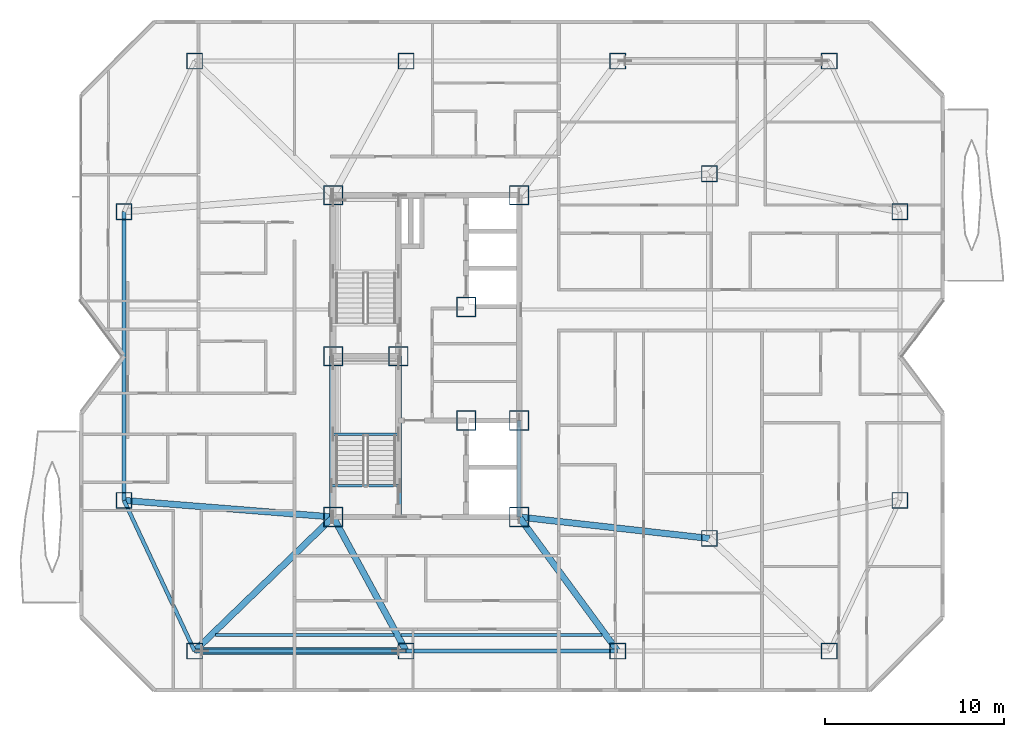
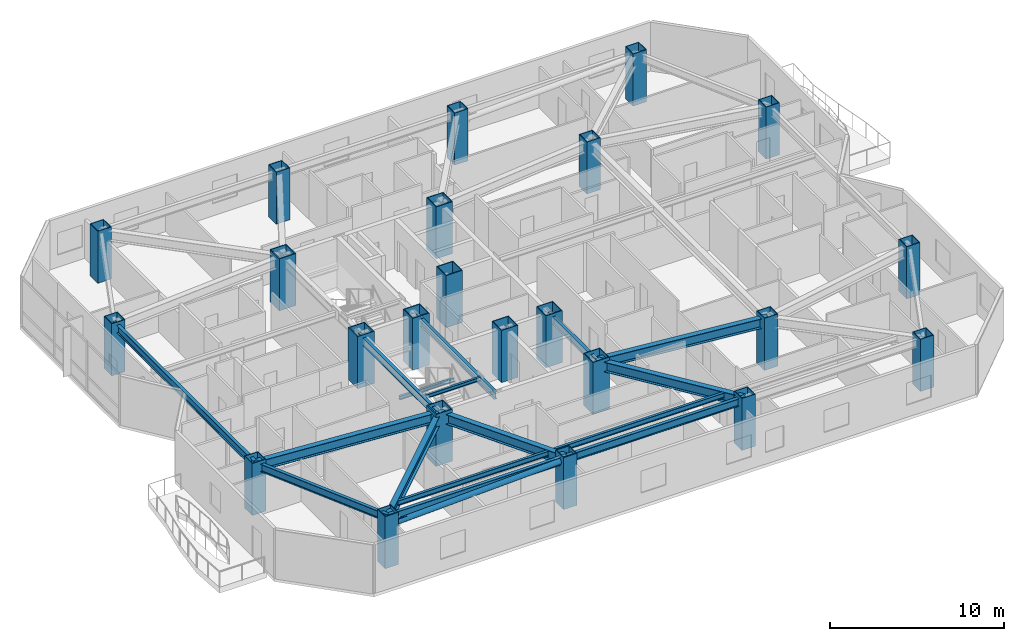
# One storey, part 1 of 18: 23 columns, 16 beams, 1 member.
"""IFC4 building model written with IfcOpenShell, lengths in metres."""

from ifc_helpers import new_model, si_unit, direction, frame, origin, origin_2d, place, context, subcontext, project, spatial, hollow_rectangle, hollow_circle, i_section, extrude, material, material_profile, profile_set, type_object, element, save


model = new_model("IFC4")

# Units and contexts
model_context = context("Model", 3, precision=1e-05, world=origin(), true_north=direction((0.0, 1.0)))
body_context = subcontext(model_context, "Body", "Model", "MODEL_VIEW")
ifc_project = project(units=[si_unit("LENGTHUNIT", "METRE"), si_unit("AREAUNIT", "SQUARE_METRE"), si_unit("VOLUMEUNIT", "CUBIC_METRE"), si_unit("PLANEANGLEUNIT", "RADIAN"), si_unit("MASSUNIT", "GRAM", prefix="KILO")], contexts=[model_context])

# Site, building, storey
site_placement = place(None, origin())
site = spatial("IfcSite", under=ifc_project, at=site_placement, CompositionType="ELEMENT")
building_placement = place(site_placement, origin())
building = spatial("IfcBuilding", under=site, at=building_placement, Name="Khamvora Tower", CompositionType="ELEMENT")
storey_placement = place(building_placement, frame((0.0, 0.0, 181.449951171875)))
storey = spatial("IfcBuildingStorey", under=building, at=storey_placement, Name="L46", CompositionType="ELEMENT", Elevation=181.449951171875)

# Columns
ifc_material_1 = material(Name="Steel S460", Category="steel")
ifc_material_profile_1 = material_profile(ifc_material_1, hollow_rectangle(XDim=1.10009765625, YDim=1.10009765625, WallThickness=0.054931640625, at=origin_2d()), Name="BOX1100x1100x55")
ifc_profile_set_1 = profile_set([ifc_material_profile_1], Name="Steel S460")
column_type_1 = type_object("IfcColumnType", Name="COL-BOX1100", PredefinedType="COLUMN", material=ifc_profile_set_1)
for number, where, z_axis, x_axis, name in (
    (1, (29.0, 19.0, 0.0), (0.0, 0.0, 1.0), (1.0, 0.0, 0.0), "L46 plumb core spine column SC1"),
    (2, (32.64990234375, 28.0, 0.0), (0.0, 0.0, 1.0), (1.0, 0.0, 0.0), "L46 plumb core spine column SC2"),
    (3, (39.39990234375, 19.0, 0.0), (0.0, 0.0, 1.0), (1.0, 0.0, 0.0), "L46 plumb core spine column SC3"),
    (4, (29.0, 28.0, 0.0), (0.0, 0.0, 1.0), (1.0, 0.0, 0.0), "L46 plumb core spine column SC4"),
    (5, (36.449951171875, 24.39990234375, 0.0), (0.0, 0.0, 1.0), (1.0, 0.0, 0.0), "L46 plumb core spine column SC5"),
    (6, (39.39990234375, 24.39990234375, 0.0), (0.0, 0.0, 1.0), (1.0, 0.0, 0.0), "L46 plumb core spine column SC6"),
    (7, (29.0, 37.0, 0.0), (0.0, 0.0, 1.0), (1.0, 0.0, 0.0), "L46 plumb core spine column SC7"),
    (8, (36.449951171875, 30.75, 0.0), (0.0, 0.0, 1.0), (1.0, 0.0, 0.0), "L46 plumb core spine column SC8"),
    (9, (39.39990234375, 37.0, 0.0), (0.0, 0.0, 1.0), (1.0, 0.0, 0.0), "L46 plumb core spine column SC9"),
):
    element("IfcColumn", number, at=place(storey_placement, frame(where, z_axis=z_axis, x_axis=x_axis)), inside=storey, type_object=column_type_1, Name=name, PredefinedType="COLUMN", context=body_context, shape_type="SweptSolid", body=[
        extrude(hollow_rectangle(XDim=1.10009765625, YDim=1.10009765625, WallThickness=0.054931640625, at=origin_2d()), origin(), (0.0, 0.0, 1.0), 3.650146484375),
    ])
ifc_material_2 = material(Name="Steel S355", Category="steel")
ifc_material_profile_2 = material_profile(ifc_material_2, hollow_rectangle(XDim=0.89990234375, YDim=0.89990234375, WallThickness=0.044921875, at=origin_2d()), Name="BOX900x900x45")
ifc_profile_set_2 = profile_set([ifc_material_profile_2], Name="Steel S355")
column_type_2 = type_object("IfcColumnType", Name="COL-BOX900", PredefinedType="COLUMN", material=ifc_profile_set_2)
for number, where, z_axis, x_axis, name in (
    (10, (21.25, 11.5, 0.0), (0.0, 0.0, 1.0), (1.0, 0.0, 0.0), "L46 structural frame column S1"),
    (11, (33.0830078125, 11.5, 0.0), (0.0, 0.0, 1.0), (1.0, 0.0, 0.0), "L46 structural frame column S2"),
    (12, (44.9169921875, 11.5, 0.0), (0.0, 0.0, 1.0), (1.0, 0.0, 0.0), "L46 structural frame column S3"),
    (13, (56.75, 11.5, 0.0), (0.0, 0.0, 1.0), (1.0, 0.0, 0.0), "L46 structural frame column S4"),
    (14, (21.25, 44.5, 0.0), (0.0, 0.0, 1.0), (1.0, 0.0, 0.0), "L46 structural frame column N1"),
    (15, (33.0830078125, 44.5, 0.0), (0.0, 0.0, 1.0), (1.0, 0.0, 0.0), "L46 structural frame column N2"),
    (16, (44.9169921875, 44.5, 0.0), (0.0, 0.0, 1.0), (1.0, 0.0, 0.0), "L46 structural frame column N3"),
    (17, (56.75, 44.5, 0.0), (0.0, 0.0, 1.0), (1.0, 0.0, 0.0), "L46 structural frame column N4"),
    (18, (17.300048828125, 19.925048828125, 0.0), (0.0, 0.0, 1.0), (1.0, 0.0, 0.0), "L46 structural frame column W1"),
    (19, (17.300048828125, 36.074951171875, 0.0), (0.0, 0.0, 1.0), (1.0, 0.0, 0.0), "L46 structural frame column W2"),
    (20, (60.699951171875, 19.925048828125, 0.0), (0.0, 0.0, 1.0), (1.0, 0.0, 0.0), "L46 structural frame column E1"),
    (21, (60.699951171875, 36.074951171875, 0.0), (0.0, 0.0, 1.0), (1.0, 0.0, 0.0), "L46 structural frame column E2"),
    (22, (50.050048828125, 17.800048828125, 0.0), (0.0, 0.0, 1.0), (1.0, 0.0, 0.0), "L46 structural frame column M1"),
    (23, (50.050048828125, 38.199951171875, 0.0), (0.0, 0.0, 1.0), (1.0, 0.0, 0.0), "L46 structural frame column M2"),
):
    element("IfcColumn", number, at=place(storey_placement, frame(where, z_axis=z_axis, x_axis=x_axis)), inside=storey, type_object=column_type_2, Name=name, PredefinedType="COLUMN", context=body_context, shape_type="SweptSolid", body=[
        extrude(hollow_rectangle(XDim=0.89990234375, YDim=0.89990234375, WallThickness=0.044921875, at=origin_2d()), origin(), (0.0, 0.0, 1.0), 3.650146484375),
    ])

# Beams
ifc_material_profile_3 = material_profile(ifc_material_2, i_section(OverallWidth=0.1708984375, OverallDepth=0.35498046875, WebThickness=0.007080078125, FlangeThickness=0.011962890625, FilletRadius=0.010009765625, at=origin_2d()), Name="W360x51")
ifc_profile_set_3 = profile_set([ifc_material_profile_3], Name="Steel S355")
beam_type_1 = type_object("IfcBeamType", Name="BM-JS-W360x51", PredefinedType="JOIST", material=ifc_profile_set_3)
beam_1_placement = place(storey_placement, frame((22.429931640625, 12.39990234375, 3.251953125), z_axis=(1.0, 0.0, 0.0), x_axis=(0.0, 1.0, 0.0)))
element("IfcBeam", 24, at=beam_1_placement, inside=storey, type_object=beam_type_1, Name="L46 secondary floor joist 01", PredefinedType="JOIST", context=body_context, shape_type="SweptSolid", body=[
    extrude(i_section(OverallWidth=0.1708984375, OverallDepth=0.35498046875, WebThickness=0.007080078125, FlangeThickness=0.011962890625, FilletRadius=0.010009765625, at=origin_2d()), origin(), (0.0, 0.0, 1.0), 9.966064453125),
])
beam_2_placement = place(storey_placement, frame((32.7900390625, 12.39990234375, 3.251953125), z_axis=(1.0, 0.0, 0.0), x_axis=(0.0, 1.0, 0.0)))
element("IfcBeam", 25, at=beam_2_placement, inside=storey, type_object=beam_type_1, Name="L46 secondary floor joist 02", PredefinedType="JOIST", context=body_context, shape_type="SweptSolid", body=[
    extrude(i_section(OverallWidth=0.1708984375, OverallDepth=0.35498046875, WebThickness=0.007080078125, FlangeThickness=0.011962890625, FilletRadius=0.010009765625, at=origin_2d()), origin(), (0.0, 0.0, 1.0), 11.25),
])
ifc_material_profile_4 = material_profile(ifc_material_2, i_section(OverallWidth=0.14697265625, OverallDepth=0.261962890625, WebThickness=0.007080078125, FlangeThickness=0.010986328125, FilletRadius=0.008056640625, at=origin_2d()), Name="W250x39")
ifc_profile_set_4 = profile_set([ifc_material_profile_4], Name="Steel S355")
beam_type_2 = type_object("IfcBeamType", Name="BM-LN-W250x39", PredefinedType="LINTEL", material=ifc_profile_set_4)
beam_3_placement = place(storey_placement, frame((29.0, 23.635009765625, 1.494140625), z_axis=(1.0, 0.0, 0.0), x_axis=(0.0, 1.0, 0.0)))
element("IfcBeam", 26, at=beam_3_placement, inside=storey, type_object=beam_type_2, Name="L46 ST-01 half-landing support beam 1.1", PredefinedType="LINTEL", context=body_context, shape_type="SweptSolid", body=[
    extrude(i_section(OverallWidth=0.14697265625, OverallDepth=0.261962890625, WebThickness=0.007080078125, FlangeThickness=0.010986328125, FilletRadius=0.008056640625, at=origin_2d()), origin(), (0.0, 0.0, 1.0), 3.64990234375),
])
beam_4_placement = place(storey_placement, frame((28.89990234375, 20.75, 3.303955078125), z_axis=(1.0, 0.0, 0.0), x_axis=(0.0, 1.0, 0.0)))
element("IfcBeam", 27, at=beam_4_placement, inside=storey, type_object=beam_type_2, Name="L46 exit stair ST-01 landing trimmer beam", PredefinedType="LINTEL", context=body_context, shape_type="SweptSolid", body=[
    extrude(i_section(OverallWidth=0.14697265625, OverallDepth=0.261962890625, WebThickness=0.007080078125, FlangeThickness=0.010986328125, FilletRadius=0.008056640625, at=origin_2d()), origin(), (0.0, 0.0, 1.0), 3.830078125),
])
ifc_material_profile_5 = material_profile(ifc_material_2, i_section(OverallWidth=0.35498046875, OverallDepth=0.695068359375, WebThickness=0.014892578125, FlangeThickness=0.02490234375, FilletRadius=0.01611328125, at=origin_2d()), Name="W690x217")
ifc_profile_set_5 = profile_set([ifc_material_profile_5], Name="Steel S355")
beam_type_3 = type_object("IfcBeamType", Name="BM-PG-W690x217", PredefinedType="BEAM", material=ifc_profile_set_5)
beam_5_placement = place(storey_placement, frame((29.0, 19.0, 3.08203125), z_axis=(-0.718602141767, -0.695421427516, 0.0), x_axis=(0.695421427516, -0.718602141767, 0.0)))
element("IfcBeam", 28, at=beam_5_placement, inside=storey, type_object=beam_type_3, Name="L46 primary floor girder S1", PredefinedType="BEAM", context=body_context, shape_type="SweptSolid", body=[
    extrude(i_section(OverallWidth=0.35498046875, OverallDepth=0.695068359375, WebThickness=0.014892578125, FlangeThickness=0.02490234375, FilletRadius=0.01611328125, at=origin_2d()), origin(), (0.0, 0.0, 1.0), 10.784912109375),
])
beam_6_placement = place(storey_placement, frame((29.0, 19.0, 3.08203125), z_axis=(0.478138862063, -0.878284252725, 0.0), x_axis=(0.878284252725, 0.478138862063, 0.0)))
element("IfcBeam", 29, at=beam_6_placement, inside=storey, type_object=beam_type_3, Name="L46 primary floor girder S2", PredefinedType="BEAM", context=body_context, shape_type="SweptSolid", body=[
    extrude(i_section(OverallWidth=0.35498046875, OverallDepth=0.695068359375, WebThickness=0.014892578125, FlangeThickness=0.02490234375, FilletRadius=0.01611328125, at=origin_2d()), origin(), (0.0, 0.0, 1.0), 8.539306640625),
])
beam_7_placement = place(storey_placement, frame((39.39990234375, 19.0, 3.08203125), z_axis=(0.592556630955, -0.805528794713, 0.0), x_axis=(0.805528794713, 0.592556630955, 0.0)))
element("IfcBeam", 30, at=beam_7_placement, inside=storey, type_object=beam_type_3, Name="L46 primary floor girder S3", PredefinedType="BEAM", context=body_context, shape_type="SweptSolid", body=[
    extrude(i_section(OverallWidth=0.35498046875, OverallDepth=0.695068359375, WebThickness=0.014892578125, FlangeThickness=0.02490234375, FilletRadius=0.01611328125, at=origin_2d()), origin(), (0.0, 0.0, 1.0), 9.310546875),
])
beam_8_placement = place(storey_placement, frame((29.0, 19.0, 3.08203125), z_axis=(-0.996888993668, 0.078818362728, 0.0), x_axis=(-0.078818362728, -0.996888993668, 0.0)))
element("IfcBeam", 31, at=beam_8_placement, inside=storey, type_object=beam_type_3, Name="L46 primary floor girder W1", PredefinedType="BEAM", context=body_context, shape_type="SweptSolid", body=[
    extrude(i_section(OverallWidth=0.35498046875, OverallDepth=0.695068359375, WebThickness=0.014892578125, FlangeThickness=0.02490234375, FilletRadius=0.01611328125, at=origin_2d()), origin(), (0.0, 0.0, 1.0), 11.736572265625),
])
beam_9_placement = place(storey_placement, frame((39.39990234375, 19.0, 3.08203125), z_axis=(0.993712543569, -0.111961514606, 0.0), x_axis=(0.111961514606, 0.993712543569, 0.0)))
element("IfcBeam", 32, at=beam_9_placement, inside=storey, type_object=beam_type_3, Name="L46 primary floor girder M1", PredefinedType="BEAM", context=body_context, shape_type="SweptSolid", body=[
    extrude(i_section(OverallWidth=0.35498046875, OverallDepth=0.695068359375, WebThickness=0.014892578125, FlangeThickness=0.02490234375, FilletRadius=0.01611328125, at=origin_2d()), origin(), (0.0, 0.0, 1.0), 10.717529296875),
])
ifc_material_profile_6 = material_profile(ifc_material_2, i_section(OverallWidth=0.2119140625, OverallDepth=0.5439453125, WebThickness=0.012939453125, FlangeThickness=0.02099609375, FilletRadius=0.013916015625, at=origin_2d()), Name="W530x123")
ifc_profile_set_6 = profile_set([ifc_material_profile_6], Name="Steel S355")
beam_type_4 = type_object("IfcBeamType", Name="BM-SP-W530x123", PredefinedType="SPANDREL", material=ifc_profile_set_6)
beam_10_placement = place(storey_placement, frame((17.300048828125, 19.925048828125, 3.157958984375), z_axis=(0.424496391454, -0.905429629315, 0.0), x_axis=(0.905429629315, 0.424496391454, 0.0)))
element("IfcBeam", 33, at=beam_10_placement, inside=storey, type_object=beam_type_4, Name="L46 perimeter spandrel beam W1-S1", PredefinedType="SPANDREL", context=body_context, shape_type="SweptSolid", body=[
    extrude(i_section(OverallWidth=0.2119140625, OverallDepth=0.5439453125, WebThickness=0.012939453125, FlangeThickness=0.02099609375, FilletRadius=0.013916015625, at=origin_2d()), origin(), (0.0, 0.0, 1.0), 9.304931640625),
])
beam_11_placement = place(storey_placement, frame((21.25, 11.5, 3.157958984375), z_axis=(1.0, 0.0, 0.0), x_axis=(0.0, 1.0, 0.0)))
element("IfcBeam", 34, at=beam_11_placement, inside=storey, type_object=beam_type_4, Name="L46 perimeter spandrel beam S1-S2", PredefinedType="SPANDREL", context=body_context, shape_type="SweptSolid", body=[
    extrude(i_section(OverallWidth=0.2119140625, OverallDepth=0.5439453125, WebThickness=0.012939453125, FlangeThickness=0.02099609375, FilletRadius=0.013916015625, at=origin_2d()), origin(), (0.0, 0.0, 1.0), 11.8330078125),
])
beam_12_placement = place(storey_placement, frame((33.0830078125, 11.5, 3.157958984375), z_axis=(1.0, 0.0, 0.0), x_axis=(0.0, 1.0, 0.0)))
element("IfcBeam", 35, at=beam_12_placement, inside=storey, type_object=beam_type_4, Name="L46 perimeter spandrel beam S2-S3", PredefinedType="SPANDREL", context=body_context, shape_type="SweptSolid", body=[
    extrude(i_section(OverallWidth=0.2119140625, OverallDepth=0.5439453125, WebThickness=0.012939453125, FlangeThickness=0.02099609375, FilletRadius=0.013916015625, at=origin_2d()), origin(), (0.0, 0.0, 1.0), 11.833984375),
])
beam_13_placement = place(storey_placement, frame((17.300048828125, 36.074951171875, 3.157958984375), z_axis=(0.0, -1.0, 0.0), x_axis=(1.0, 0.0, 0.0)))
element("IfcBeam", 36, at=beam_13_placement, inside=storey, type_object=beam_type_4, Name="L46 perimeter spandrel beam W2-W1", PredefinedType="SPANDREL", context=body_context, shape_type="SweptSolid", body=[
    extrude(i_section(OverallWidth=0.2119140625, OverallDepth=0.5439453125, WebThickness=0.012939453125, FlangeThickness=0.02099609375, FilletRadius=0.013916015625, at=origin_2d()), origin(), (0.0, 0.0, 1.0), 16.14990234375),
])
ifc_material_profile_7 = material_profile(ifc_material_2, i_section(OverallWidth=0.208984375, OverallDepth=0.532958984375, WebThickness=0.010009765625, FlangeThickness=0.01611328125, FilletRadius=0.013916015625, at=origin_2d()), Name="W530x92")
ifc_profile_set_7 = profile_set([ifc_material_profile_7], Name="Steel S355")
beam_type_5 = type_object("IfcBeamType", Name="BM-SP-W530x92", PredefinedType="SPANDREL", material=ifc_profile_set_7)
for number, where, z_axis, x_axis, name in (
    (37, (28.89990234375, 19.0, 3.1630859375), (0.0, 1.0, 0.0), (-1.0, 0.0, 0.0), "L46 core spine girder WS"),
    (38, (32.72998046875, 19.0, 3.1630859375), (0.0, 1.0, 0.0), (-1.0, 0.0, 0.0), "L46 core spine girder M1S"),
):
    element("IfcBeam", number, at=place(storey_placement, frame(where, z_axis=z_axis, x_axis=x_axis)), inside=storey, type_object=beam_type_5, Name=name, PredefinedType="SPANDREL", context=body_context, shape_type="SweptSolid", body=[
        extrude(i_section(OverallWidth=0.208984375, OverallDepth=0.532958984375, WebThickness=0.010009765625, FlangeThickness=0.01611328125, FilletRadius=0.013916015625, at=origin_2d()), origin(), (0.0, 0.0, 1.0), 9.0),
    ])
beam_14_placement = place(storey_placement, frame((39.39990234375, 19.0, 3.1630859375), z_axis=(0.0, 1.0, 0.0), x_axis=(-1.0, 0.0, 0.0)))
element("IfcBeam", 39, at=beam_14_placement, inside=storey, type_object=beam_type_5, Name="L46 core spine girder ES", PredefinedType="SPANDREL", context=body_context, shape_type="SweptSolid", body=[
    extrude(i_section(OverallWidth=0.208984375, OverallDepth=0.532958984375, WebThickness=0.010009765625, FlangeThickness=0.01611328125, FilletRadius=0.013916015625, at=origin_2d()), origin(), (0.0, 0.0, 1.0), 5.39990234375),
])

# Member
ifc_material_profile_8 = material_profile(ifc_material_2, hollow_circle(Radius=0.202880859375, WallThickness=0.01611328125, at=origin_2d()), Name="CHS406x16")
ifc_profile_set_8 = profile_set([ifc_material_profile_8], Name="Steel S355")
member_type = type_object("IfcMemberType", Name="MEM-BR-CHS406", PredefinedType="BRACE", material=ifc_profile_set_8)
member_placement = place(storey_placement, frame((21.679931640625, 11.5, 2.697998046875), z_axis=(0.999174860809, 0.0, 0.040615237634), x_axis=(0.0, 1.0, 0.0)))
element("IfcMember", 40, at=member_placement, inside=storey, type_object=member_type, Name="L46 perimeter wind brace 1", PredefinedType="BRACE", context=body_context, shape_type="SweptSolid", body=[
    extrude(hollow_circle(Radius=0.202880859375, WallThickness=0.01611328125, at=origin_2d()), origin(), (0.0, 0.0, 1.0), 10.982177734375),
])

save(model, "model.ifc")
